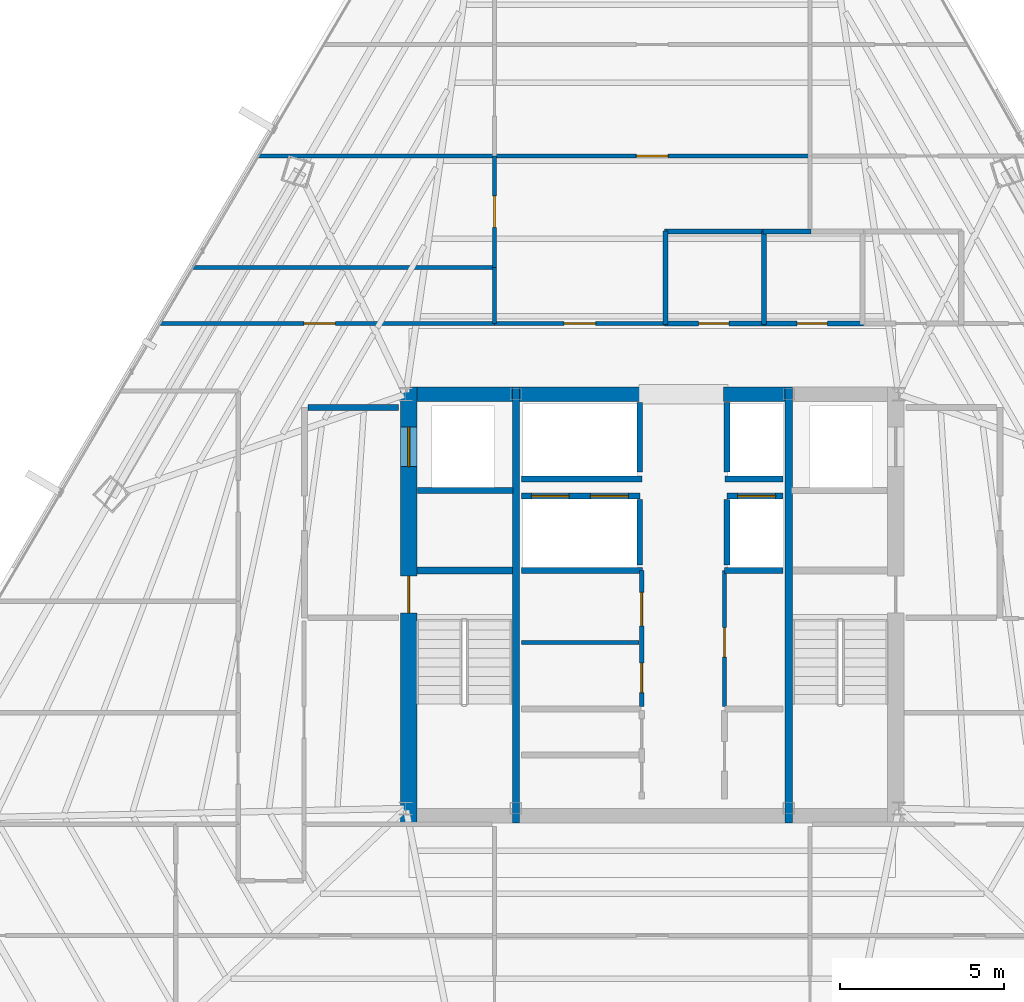
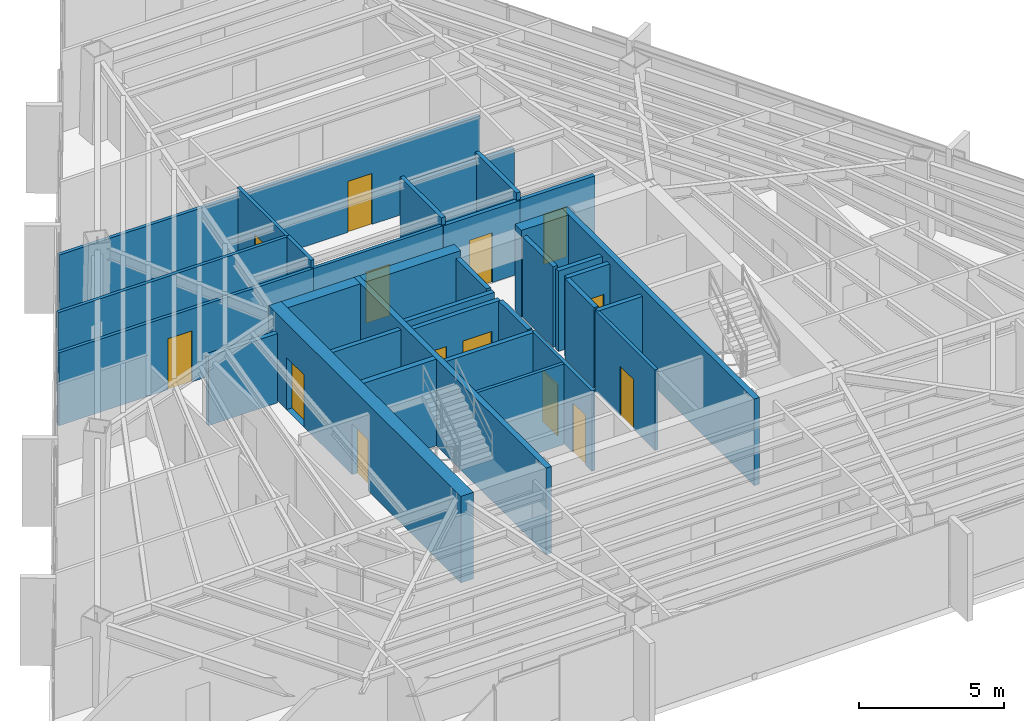
# One storey, part 36 of 42: 35 walls, 14 doors, 14 openings.
"""IFC4 building model written with IfcOpenShell, lengths in metres."""

from ifc_helpers import new_model, si_unit, direction, frame, frame_2d, origin, place, context, subcontext, project, spatial, rectangle, extrude, material, layer, layer_set, type_object, element, fill, save


model = new_model("IFC4")

# Units and contexts
model_context = context("Model", 3, precision=1e-05, world=origin(), true_north=direction((0.0, 1.0)))
body_context = subcontext(model_context, "Body", "Model", "MODEL_VIEW")
ifc_project = project(units=[si_unit("LENGTHUNIT", "METRE"), si_unit("AREAUNIT", "SQUARE_METRE"), si_unit("VOLUMEUNIT", "CUBIC_METRE"), si_unit("PLANEANGLEUNIT", "RADIAN"), si_unit("MASSUNIT", "GRAM", prefix="KILO")], contexts=[model_context])

# Site, building, storey
site_placement = place(None, origin())
site = spatial("IfcSite", under=ifc_project, at=site_placement, CompositionType="ELEMENT")
building_placement = place(site_placement, origin())
building = spatial("IfcBuilding", under=site, at=building_placement, Name="Caelisora Broadcast Tower", CompositionType="ELEMENT")
storey_placement = place(building_placement, frame((0.0, 0.0, 202.300048828125)))
storey = spatial("IfcBuildingStorey", under=building, at=storey_placement, Name="L53", CompositionType="ELEMENT", Elevation=202.300048828125)

# Wall, openings, doors
ifc_material_1 = material(Name="Concrete 50 MPa (AS 3600 S50)", Category="concrete")
ifc_layer_1 = layer(ifc_material_1, 0.5, Name="Concrete 50 MPa (AS 3600 S50)")
ifc_layer_set_1 = layer_set([ifc_layer_1], Name="Concrete 50 MPa (AS 3600 S50)")
wall_type_1 = type_object("IfcWallType", Name="CW2", PredefinedType="SHEAR", material=ifc_layer_set_1)
wall_1_placement = place(storey_placement, frame((30.590087890625, 16.949951171875, 0.0), z_axis=(0.0, 0.0, 1.0), x_axis=(0.0, 1.0, 0.0)))
wall_1 = element("IfcWall", 1, at=wall_1_placement, inside=storey, type_object=wall_type_1, Name="L53 core shear wall CW2", PredefinedType="SHEAR", context=body_context, shape_type="SweptSolid", body=[
    extrude(rectangle(XDim=13.275146484375, YDim=0.5, at=frame_2d((6.6376953125, 0.0))), origin(), (0.0, 0.0, 1.0), 3.64990234375),
])
opening_1_placement = place(wall_1_placement, frame((6.39990234375, 0.0, 0.0)))
opening_1 = element("IfcOpeningElement", 2, at=opening_1_placement, cuts=wall_1, Name="Opening FD04", PredefinedType="OPENING", context=body_context, shape_type="SweptSolid", body=[
    extrude(rectangle(XDim=1.1201171875, YDim=2.14990234375, at=frame_2d((0.56005859375, 1.074951171875))), frame((0.0, 0.261962890625, 0.0), z_axis=(0.0, -1.0, 0.0), x_axis=(1.0, 0.0, 0.0)), (0.0, 0.0, 1.0), 0.52392578125),
])
opening_2_placement = place(wall_1_placement, frame((10.85009765625, 0.0, 0.0)))
opening_2 = element("IfcOpeningElement", 3, at=opening_2_placement, cuts=wall_1, Name="Opening LD04", PredefinedType="OPENING", context=body_context, shape_type="SweptSolid", body=[
    extrude(rectangle(XDim=1.199951171875, YDim=2.199951171875, at=frame_2d((0.60009765625, 1.10009765625))), frame((0.0, 0.261962890625, 0.0), z_axis=(0.0, -1.0, 0.0), x_axis=(1.0, 0.0, 0.0)), (0.0, 0.0, 1.0), 0.52392578125),
])
ifc_material_2 = material(Name="Pressurised Fire-Isolated Stair Door", Category="steel")
door_type_1 = type_object("IfcDoorType", Name="FD04", OperationType="NOTDEFINED", PredefinedType="DOOR", material=ifc_material_2)
door_1_placement = place(opening_1_placement, origin())
door_1 = element("IfcDoor", 4, at=door_1_placement, inside=storey, type_object=door_type_1, Name="L53 door FD04 (L53-DR-ST1)", OperationType="SINGLE_SWING_LEFT", OverallHeight=2.14990234375, OverallWidth=1.1201171875, PredefinedType="DOOR", context=body_context, shape_type="SweptSolid", body=[
    extrude(rectangle(XDim=1.1201171875, YDim=2.14990234375, at=frame_2d((0.56005859375, 1.074951171875))), frame((0.0, 0.02490234375, 0.0), z_axis=(0.0, -1.0, 0.0), x_axis=(1.0, 0.0, 0.0)), (0.0, 0.0, 1.0), 0.050048828125),
])
fill(opening_1, door_1)
ifc_material_3 = material(Name="Emergency Firefighting Lift Sliding Landing Door", Category="steel")
door_type_2 = type_object("IfcDoorType", Name="LD04", OperationType="NOTDEFINED", PredefinedType="DOOR", material=ifc_material_3)
door_2_placement = place(opening_2_placement, origin())
door_2 = element("IfcDoor", 5, at=door_2_placement, inside=storey, type_object=door_type_2, Name="L53 door LD04 (L53-LD-FFL1)", OperationType="SLIDING_TO_LEFT", OverallHeight=2.199951171875, OverallWidth=1.199951171875, PredefinedType="DOOR", context=body_context, shape_type="SweptSolid", body=[
    extrude(rectangle(XDim=1.199951171875, YDim=2.199951171875, at=frame_2d((0.60009765625, 1.10009765625))), frame((0.0, 0.02490234375, 0.0), z_axis=(0.0, -1.0, 0.0), x_axis=(1.0, 0.0, 0.0)), (0.0, 0.0, 1.0), 0.050048828125),
])
fill(opening_2, door_2)

# Walls
ifc_layer_2 = layer(ifc_material_1, 0.449951171875, Name="Concrete 50 MPa (AS 3600 S50)")
ifc_layer_set_2 = layer_set([ifc_layer_2], Name="Concrete 50 MPa (AS 3600 S50)")
wall_type_2 = type_object("IfcWallType", Name="CW5", PredefinedType="SHEAR", material=ifc_layer_set_2)
wall_2_placement = place(storey_placement, frame((30.840087890625, 30.0, 0.0), z_axis=(0.0, 0.0, 1.0), x_axis=(1.0, 0.0, 0.0)))
element("IfcWall", 6, at=wall_2_placement, inside=storey, type_object=wall_type_2, Name="L53 core shear wall CW5", PredefinedType="SHEAR", context=body_context, shape_type="SweptSolid", body=[
    extrude(rectangle(XDim=2.89990234375, YDim=0.449951171875, at=frame_2d((1.449951171875, 0.0))), origin(), (0.0, 0.0, 1.0), 3.64990234375),
])
wall_3_placement = place(storey_placement, frame((33.9599609375, 30.0, 0.0), z_axis=(0.0, 0.0, 1.0), x_axis=(1.0, 0.0, 0.0)))
element("IfcWall", 7, at=wall_3_placement, inside=storey, type_object=wall_type_2, Name="L53 core shear wall CW5", PredefinedType="SHEAR", context=body_context, shape_type="SweptSolid", body=[
    extrude(rectangle(XDim=3.780029296875, YDim=0.449951171875, at=frame_2d((1.89013671875, 0.0))), origin(), (0.0, 0.0, 1.0), 3.64990234375),
])
wall_4_placement = place(storey_placement, frame((40.159912109375, 30.0, 0.0), z_axis=(0.0, 0.0, 1.0), x_axis=(1.0, 0.0, 0.0)))
element("IfcWall", 8, at=wall_4_placement, inside=storey, type_object=wall_type_2, Name="L53 core shear wall CW5", PredefinedType="SHEAR", context=body_context, shape_type="SweptSolid", body=[
    extrude(rectangle(XDim=1.880126953125, YDim=0.449951171875, at=frame_2d((0.93994140625, 0.0))), origin(), (0.0, 0.0, 1.0), 3.64990234375),
])
ifc_layer_3 = layer(ifc_material_1, 0.219970703125, Name="Concrete 50 MPa (AS 3600 S50)")
ifc_layer_set_3 = layer_set([ifc_layer_3], Name="Concrete 50 MPa (AS 3600 S50)")
wall_type_3 = type_object("IfcWallType", Name="CW7", PredefinedType="SHEAR", material=ifc_layer_set_3)
for number, where, z_axis, x_axis, name in (
    (9, (33.85009765625, 16.949951171875, 0.0), (0.0, 0.0, 1.0), (0.0, 1.0, 0.0), "L53 core shear wall CW7"),
    (10, (42.14990234375, 16.949951171875, 0.0), (0.0, 0.0, 1.0), (0.0, 1.0, 0.0), "L53 core shear wall CW7"),
):
    element("IfcWall", number, at=place(storey_placement, frame(where, z_axis=z_axis, x_axis=x_axis)), inside=storey, type_object=wall_type_3, Name=name, PredefinedType="SHEAR", context=body_context, shape_type="SweptSolid", body=[
        extrude(rectangle(XDim=13.275146484375, YDim=0.219970703125, at=frame_2d((6.6376953125, 0.0))), origin(), (0.0, 0.0, 1.0), 3.64990234375),
    ])
wall_5_placement = place(storey_placement, frame((30.840087890625, 24.639892578125, 0.0), z_axis=(0.0, 0.0, 1.0), x_axis=(1.0, 0.0, 0.0)))
element("IfcWall", 11, at=wall_5_placement, inside=storey, type_object=wall_type_3, Name="L53 core shear wall CW7", PredefinedType="SHEAR", context=body_context, shape_type="SweptSolid", body=[
    extrude(rectangle(XDim=2.89990234375, YDim=0.219970703125, at=frame_2d((1.449951171875, 0.0))), origin(), (0.0, 0.0, 1.0), 3.64990234375),
])

# Wall, openings, doors
ifc_material_4 = material(Name="Fire-Rated Gypsum Shaft and Compartment Wall", Category="gypsum")
ifc_layer_4 = layer(ifc_material_4, 0.179931640625, Name="Fire-Rated Gypsum Shaft and Compartment Wall")
ifc_layer_set_4 = layer_set([ifc_layer_4], Name="Fire-Rated Gypsum Shaft and Compartment Wall")
wall_type_4 = type_object("IfcWallType", Name="PW2", PredefinedType="PARTITIONING", material=ifc_layer_set_4)
wall_6_placement = place(storey_placement, frame((34.02001953125, 26.89990234375, 0.0), z_axis=(0.0, 0.0, 1.0), x_axis=(1.0, 0.0, 0.0)))
wall_6 = element("IfcWall", 12, at=wall_6_placement, inside=storey, type_object=wall_type_4, Name="L53 fire compartment wall PW2", PredefinedType="PARTITIONING", context=body_context, shape_type="SweptSolid", body=[
    extrude(rectangle(XDim=3.60009765625, YDim=0.179931640625, at=frame_2d((1.800048828125, 0.0))), origin(), (0.0, 0.0, 1.0), 3.39990234375),
])
opening_3_placement = place(wall_6_placement, frame((0.300048828125, 0.0, 0.0)))
opening_3 = element("IfcOpeningElement", 13, at=opening_3_placement, cuts=wall_6, Name="Opening LD02", PredefinedType="OPENING", context=body_context, shape_type="SweptSolid", body=[
    extrude(rectangle(XDim=1.14990234375, YDim=2.199951171875, at=frame_2d((0.574951171875, 1.10009765625))), frame((0.0, 0.10205078125, 0.0), z_axis=(0.0, -1.0, 0.0), x_axis=(1.0, 0.0, 0.0)), (0.0, 0.0, 1.0), 0.203857421875),
])
opening_4_placement = place(wall_6_placement, frame((2.10009765625, 0.0, 0.0)))
opening_4 = element("IfcOpeningElement", 14, at=opening_4_placement, cuts=wall_6, Name="Opening LD02", PredefinedType="OPENING", context=body_context, shape_type="SweptSolid", body=[
    extrude(rectangle(XDim=1.14990234375, YDim=2.199951171875, at=frame_2d((0.574951171875, 1.10009765625))), frame((0.0, 0.10205078125, 0.0), z_axis=(0.0, -1.0, 0.0), x_axis=(1.0, 0.0, 0.0)), (0.0, 0.0, 1.0), 0.203857421875),
])
ifc_material_5 = material(Name="High-Speed Express Lift Sliding Landing Door", Category="steel")
door_type_3 = type_object("IfcDoorType", Name="LD02", OperationType="NOTDEFINED", PredefinedType="DOOR", material=ifc_material_5)
door_3_placement = place(opening_3_placement, origin())
door_3 = element("IfcDoor", 15, at=door_3_placement, inside=storey, type_object=door_type_3, Name="L53 door LD02 (L53-LD-PLM1)", OperationType="SLIDING_TO_LEFT", OverallHeight=2.199951171875, OverallWidth=1.14990234375, PredefinedType="DOOR", context=body_context, shape_type="SweptSolid", body=[
    extrude(rectangle(XDim=1.14990234375, YDim=2.199951171875, at=frame_2d((0.574951171875, 1.10009765625))), frame((0.0, 0.02490234375, 0.0), z_axis=(0.0, -1.0, 0.0), x_axis=(1.0, 0.0, 0.0)), (0.0, 0.0, 1.0), 0.050048828125),
])
fill(opening_3, door_3)
door_4_placement = place(opening_4_placement, origin())
door_4 = element("IfcDoor", 16, at=door_4_placement, inside=storey, type_object=door_type_3, Name="L53 door LD02 (L53-LD-PLM2)", OperationType="SLIDING_TO_RIGHT", OverallHeight=2.199951171875, OverallWidth=1.14990234375, PredefinedType="DOOR", context=body_context, shape_type="SweptSolid", body=[
    extrude(rectangle(XDim=1.14990234375, YDim=2.199951171875, at=frame_2d((0.574951171875, 1.10009765625))), frame((0.0, 0.02490234375, 0.0), z_axis=(0.0, -1.0, 0.0), x_axis=(1.0, 0.0, 0.0)), (0.0, 0.0, 1.0), 0.050048828125),
])
fill(opening_4, door_4)

# Wall, opening, door
wall_7_placement = place(storey_placement, frame((40.280029296875, 26.89990234375, 0.0), z_axis=(0.0, 0.0, 1.0), x_axis=(1.0, 0.0, 0.0)))
wall_7 = element("IfcWall", 17, at=wall_7_placement, inside=storey, type_object=wall_type_4, Name="L53 fire compartment wall PW2", PredefinedType="PARTITIONING", context=body_context, shape_type="SweptSolid", body=[
    extrude(rectangle(XDim=1.699951171875, YDim=0.179931640625, at=frame_2d((0.85009765625, 0.0))), origin(), (0.0, 0.0, 1.0), 3.39990234375),
])
opening_5_placement = place(wall_7_placement, frame((0.320068359375, 0.0, 0.0)))
opening_5 = element("IfcOpeningElement", 18, at=opening_5_placement, cuts=wall_7, Name="Opening LD02", PredefinedType="OPENING", context=body_context, shape_type="SweptSolid", body=[
    extrude(rectangle(XDim=1.14990234375, YDim=2.199951171875, at=frame_2d((0.574951171875, 1.10009765625))), frame((0.0, 0.10205078125, 0.0), z_axis=(0.0, -1.0, 0.0), x_axis=(1.0, 0.0, 0.0)), (0.0, 0.0, 1.0), 0.203857421875),
])
door_5_placement = place(opening_5_placement, origin())
door_5 = element("IfcDoor", 19, at=door_5_placement, inside=storey, type_object=door_type_3, Name="L53 door LD02 (L53-LD-PLM3)", OperationType="SLIDING_TO_LEFT", OverallHeight=2.199951171875, OverallWidth=1.14990234375, PredefinedType="DOOR", context=body_context, shape_type="SweptSolid", body=[
    extrude(rectangle(XDim=1.14990234375, YDim=2.199951171875, at=frame_2d((0.574951171875, 1.10009765625))), frame((0.0, 0.02490234375, 0.0), z_axis=(0.0, -1.0, 0.0), x_axis=(1.0, 0.0, 0.0)), (0.0, 0.0, 1.0), 0.050048828125),
])
fill(opening_5, door_5)

# Walls
for number, where, z_axis, x_axis, name in (
    (20, (37.6201171875, 24.800048828125, 0.0), (0.0, 0.0, 1.0), (0.0, 1.0, 0.0), "L53 fire compartment wall PW2"),
    (21, (40.280029296875, 24.800048828125, 0.0), (0.0, 0.0, 1.0), (0.0, 1.0, 0.0), "L53 fire compartment wall PW2"),
):
    element("IfcWall", number, at=place(storey_placement, frame(where, z_axis=z_axis, x_axis=x_axis)), inside=storey, type_object=wall_type_4, Name=name, PredefinedType="PARTITIONING", context=body_context, shape_type="SweptSolid", body=[
        extrude(rectangle(XDim=2.0, YDim=0.179931640625, at=frame_2d((1.0, 0.0))), origin(), (0.0, 0.0, 1.0), 3.39990234375),
    ])
wall_8_placement = place(storey_placement, frame((34.02001953125, 24.639892578125, 0.0), z_axis=(0.0, 0.0, 1.0), x_axis=(1.0, 0.0, 0.0)))
element("IfcWall", 22, at=wall_8_placement, inside=storey, type_object=wall_type_4, Name="L53 fire compartment wall PW2", PredefinedType="PARTITIONING", context=body_context, shape_type="SweptSolid", body=[
    extrude(rectangle(XDim=3.679931640625, YDim=0.179931640625, at=frame_2d((1.83984375, 0.0))), origin(), (0.0, 0.0, 1.0), 3.39990234375),
])
wall_9_placement = place(storey_placement, frame((40.199951171875, 24.639892578125, 0.0), z_axis=(0.0, 0.0, 1.0), x_axis=(1.0, 0.0, 0.0)))
element("IfcWall", 23, at=wall_9_placement, inside=storey, type_object=wall_type_4, Name="L53 fire compartment wall PW2", PredefinedType="PARTITIONING", context=body_context, shape_type="SweptSolid", body=[
    extrude(rectangle(XDim=1.780029296875, YDim=0.179931640625, at=frame_2d((0.89013671875, 0.0))), origin(), (0.0, 0.0, 1.0), 3.39990234375),
])
wall_10_placement = place(storey_placement, frame((34.02001953125, 27.419921875, 0.0), z_axis=(0.0, 0.0, 1.0), x_axis=(1.0, 0.0, 0.0)))
element("IfcWall", 24, at=wall_10_placement, inside=storey, type_object=wall_type_4, Name="L53 fire compartment wall PW2", PredefinedType="PARTITIONING", context=body_context, shape_type="SweptSolid", body=[
    extrude(rectangle(XDim=3.659912109375, YDim=0.179931640625, at=frame_2d((1.830078125, 0.0))), origin(), (0.0, 0.0, 1.0), 3.39990234375),
])
wall_11_placement = place(storey_placement, frame((40.219970703125, 27.419921875, 0.0), z_axis=(0.0, 0.0, 1.0), x_axis=(1.0, 0.0, 0.0)))
element("IfcWall", 25, at=wall_11_placement, inside=storey, type_object=wall_type_4, Name="L53 fire compartment wall PW2", PredefinedType="PARTITIONING", context=body_context, shape_type="SweptSolid", body=[
    extrude(rectangle(XDim=1.760009765625, YDim=0.179931640625, at=frame_2d((0.8798828125, 0.0))), origin(), (0.0, 0.0, 1.0), 3.39990234375),
])
for number, where, z_axis, x_axis, name in (
    (26, (37.6201171875, 27.639892578125, 0.0), (0.0, 0.0, 1.0), (0.0, 1.0, 0.0), "L53 fire compartment wall PW2"),
    (27, (40.280029296875, 27.639892578125, 0.0), (0.0, 0.0, 1.0), (0.0, 1.0, 0.0), "L53 fire compartment wall PW2"),
):
    element("IfcWall", number, at=place(storey_placement, frame(where, z_axis=z_axis, x_axis=x_axis)), inside=storey, type_object=wall_type_4, Name=name, PredefinedType="PARTITIONING", context=body_context, shape_type="SweptSolid", body=[
        extrude(rectangle(XDim=2.110107421875, YDim=0.179931640625, at=frame_2d((1.05517578125, 0.0))), origin(), (0.0, 0.0, 1.0), 3.39990234375),
    ])
wall_12_placement = place(storey_placement, frame((27.52001953125, 29.60009765625, 0.0), z_axis=(0.0, 0.0, 1.0), x_axis=(1.0, 0.0, 0.0)))
element("IfcWall", 28, at=wall_12_placement, inside=storey, type_object=wall_type_4, Name="L53 fire compartment wall PW2", PredefinedType="PARTITIONING", context=body_context, shape_type="SweptSolid", body=[
    extrude(rectangle(XDim=2.760009765625, YDim=0.179931640625, at=frame_2d((1.3798828125, 0.0))), origin(), (0.0, 0.0, 1.0), 2.924560546875),
])
wall_13_placement = place(storey_placement, frame((30.860107421875, 27.070068359375, 0.0), z_axis=(0.0, 0.0, 1.0), x_axis=(1.0, 0.0, 0.0)))
element("IfcWall", 29, at=wall_13_placement, inside=storey, type_object=wall_type_4, Name="L53 fire compartment wall PW2", PredefinedType="PARTITIONING", context=body_context, shape_type="SweptSolid", body=[
    extrude(rectangle(XDim=2.89990234375, YDim=0.179931640625, at=frame_2d((1.449951171875, 0.0))), origin(), (0.0, 0.0, 1.0), 3.39990234375),
])
ifc_material_6 = material(Name="Acoustic Steel-Stud Plasterboard Partition", Category="gypsum")
ifc_layer_5 = layer(ifc_material_6, 0.1298828125, Name="Acoustic Steel-Stud Plasterboard Partition")
ifc_layer_set_5 = layer_set([ifc_layer_5], Name="Acoustic Steel-Stud Plasterboard Partition")
wall_type_5 = type_object("IfcWallType", Name="PW3", PredefinedType="PARTITIONING", material=ifc_layer_set_5)
wall_14_placement = place(storey_placement, frame((34.02001953125, 22.449951171875, 0.0), z_axis=(0.0, 0.0, 1.0), x_axis=(1.0, 0.0, 0.0)))
element("IfcWall", 30, at=wall_14_placement, inside=storey, type_object=wall_type_5, Name="L53 internal partition PW3", PredefinedType="PARTITIONING", context=body_context, shape_type="SweptSolid", body=[
    extrude(rectangle(XDim=3.580078125, YDim=0.1298828125, at=frame_2d((1.7900390625, 0.0))), origin(), (0.0, 0.0, 1.0), 3.39990234375),
])

# Wall, openings, doors
wall_15_placement = place(storey_placement, frame((37.679931640625, 20.5, 0.0), z_axis=(0.0, 0.0, 1.0), x_axis=(0.0, 1.0, 0.0)))
wall_15 = element("IfcWall", 31, at=wall_15_placement, inside=storey, type_object=wall_type_5, Name="L53 internal partition PW3", PredefinedType="PARTITIONING", context=body_context, shape_type="SweptSolid", body=[
    extrude(rectangle(XDim=4.139892578125, YDim=0.1298828125, at=frame_2d((2.06982421875, 0.0))), origin(), (0.0, 0.0, 1.0), 3.39990234375),
])
opening_6_placement = place(wall_15_placement, frame((0.419921875, 0.0, 0.0)))
opening_6 = element("IfcOpeningElement", 32, at=opening_6_placement, cuts=wall_15, Name="Opening FD03", PredefinedType="OPENING", context=body_context, shape_type="SweptSolid", body=[
    extrude(rectangle(XDim=0.89990234375, YDim=2.10009765625, at=frame_2d((0.449951171875, 1.050048828125))), frame((0.0, 0.076904296875, 0.0), z_axis=(0.0, -1.0, 0.0), x_axis=(1.0, 0.0, 0.0)), (0.0, 0.0, 1.0), 0.15380859375),
])
opening_7_placement = place(wall_15_placement, frame((2.449951171875, 0.0, 0.0)))
opening_7 = element("IfcOpeningElement", 33, at=opening_7_placement, cuts=wall_15, Name="Opening D02", PredefinedType="OPENING", context=body_context, shape_type="SweptSolid", body=[
    extrude(rectangle(XDim=1.02001953125, YDim=2.14990234375, at=frame_2d((0.510009765625, 1.074951171875))), frame((0.0, 0.076904296875, 0.0), z_axis=(0.0, -1.0, 0.0), x_axis=(1.0, 0.0, 0.0)), (0.0, 0.0, 1.0), 0.15380859375),
])
ifc_material_7 = material(Name="Solid-Core Timber Archive Suite Door", Category="wood")
door_type_4 = type_object("IfcDoorType", Name="D02", OperationType="NOTDEFINED", PredefinedType="DOOR", material=ifc_material_7)
door_6_placement = place(opening_7_placement, origin())
door_6 = element("IfcDoor", 34, at=door_6_placement, inside=storey, type_object=door_type_4, Name="L53 door D02 (L53-DR-P12D2)", OperationType="SINGLE_SWING_LEFT", OverallHeight=2.14990234375, OverallWidth=1.02001953125, PredefinedType="DOOR", context=body_context, shape_type="SweptSolid", body=[
    extrude(rectangle(XDim=1.02001953125, YDim=2.14990234375, at=frame_2d((0.510009765625, 1.074951171875))), frame((0.0, 0.02490234375, 0.0), z_axis=(0.0, -1.0, 0.0), x_axis=(1.0, 0.0, 0.0)), (0.0, 0.0, 1.0), 0.050048828125),
])
fill(opening_7, door_6)
ifc_material_8 = material(Name="Single-Leaf Steel Riser Fire Access Door", Category="steel")
door_type_5 = type_object("IfcDoorType", Name="FD03", OperationType="NOTDEFINED", PredefinedType="DOOR", material=ifc_material_8)
door_7_placement = place(opening_6_placement, origin())
door_7 = element("IfcDoor", 35, at=door_7_placement, inside=storey, type_object=door_type_5, Name="L53 door FD03 (L53-DR-P12D1)", OperationType="SINGLE_SWING_RIGHT", OverallHeight=2.10009765625, OverallWidth=0.89990234375, PredefinedType="DOOR", context=body_context, shape_type="SweptSolid", body=[
    extrude(rectangle(XDim=0.89990234375, YDim=2.10009765625, at=frame_2d((0.449951171875, 1.050048828125))), frame((0.0, 0.02490234375, 0.0), z_axis=(0.0, -1.0, 0.0), x_axis=(1.0, 0.0, 0.0)), (0.0, 0.0, 1.0), 0.050048828125),
])
fill(opening_6, door_7)

# Wall, opening, door
wall_16_placement = place(storey_placement, frame((40.199951171875, 20.5, 0.0), z_axis=(0.0, 0.0, 1.0), x_axis=(0.0, 1.0, 0.0)))
wall_16 = element("IfcWall", 36, at=wall_16_placement, inside=storey, type_object=wall_type_5, Name="L53 internal partition PW3", PredefinedType="PARTITIONING", context=body_context, shape_type="SweptSolid", body=[
    extrude(rectangle(XDim=4.139892578125, YDim=0.1298828125, at=frame_2d((2.06982421875, 0.0))), origin(), (0.0, 0.0, 1.0), 3.39990234375),
])
opening_8_placement = place(wall_16_placement, frame((1.5, 0.0, 0.0)))
opening_8 = element("IfcOpeningElement", 37, at=opening_8_placement, cuts=wall_16, Name="Opening FD03", PredefinedType="OPENING", context=body_context, shape_type="SweptSolid", body=[
    extrude(rectangle(XDim=0.89990234375, YDim=2.10009765625, at=frame_2d((0.449951171875, 1.050048828125))), frame((0.0, 0.076904296875, 0.0), z_axis=(0.0, -1.0, 0.0), x_axis=(1.0, 0.0, 0.0)), (0.0, 0.0, 1.0), 0.15380859375),
])
door_8_placement = place(opening_8_placement, origin())
door_8 = element("IfcDoor", 38, at=door_8_placement, inside=storey, type_object=door_type_5, Name="L53 door FD03 (L53-DR-P13D1)", OperationType="SINGLE_SWING_RIGHT", OverallHeight=2.10009765625, OverallWidth=0.89990234375, PredefinedType="DOOR", context=body_context, shape_type="SweptSolid", body=[
    extrude(rectangle(XDim=0.89990234375, YDim=2.10009765625, at=frame_2d((0.449951171875, 1.050048828125))), frame((0.0, 0.02490234375, 0.0), z_axis=(0.0, -1.0, 0.0), x_axis=(1.0, 0.0, 0.0)), (0.0, 0.0, 1.0), 0.050048828125),
])
fill(opening_8, door_8)

wall_17_placement = place(storey_placement, frame((23.039306640625, 32.14990234375, 0.0), z_axis=(0.0, 0.0, 1.0), x_axis=(1.0, 0.0, 0.0)))
wall_17 = element("IfcWall", 39, at=wall_17_placement, inside=storey, type_object=wall_type_5, Name="L53 internal partition PW3", PredefinedType="PARTITIONING", context=body_context, shape_type="SweptSolid", body=[
    extrude(rectangle(XDim=10.15576171875, YDim=0.1298828125, at=frame_2d((5.077880859375, 0.0))), origin(), (0.0, 0.0, 1.0), 3.07763671875),
])
opening_9_placement = place(wall_17_placement, frame((4.35693359375, 0.0, 0.0)))
opening_9 = element("IfcOpeningElement", 40, at=opening_9_placement, cuts=wall_17, Name="Opening D01", PredefinedType="OPENING", context=body_context, shape_type="SweptSolid", body=[
    extrude(rectangle(XDim=0.9599609375, YDim=2.14990234375, at=frame_2d((0.47998046875, 1.074951171875))), frame((0.0, 0.076904296875, 0.0), z_axis=(0.0, -1.0, 0.0), x_axis=(1.0, 0.0, 0.0)), (0.0, 0.0, 1.0), 0.15380859375),
])
ifc_material_9 = material(Name="Solid-Core Timber Acoustic Office Door", Category="wood")
door_type_6 = type_object("IfcDoorType", Name="D01", OperationType="NOTDEFINED", PredefinedType="DOOR", material=ifc_material_9)
door_9_placement = place(opening_9_placement, origin())
door_9 = element("IfcDoor", 41, at=door_9_placement, inside=storey, type_object=door_type_6, Name="L53 door D01 (L53-DR-P31D1)", OperationType="SINGLE_SWING_LEFT", OverallHeight=2.14990234375, OverallWidth=0.9599609375, PredefinedType="DOOR", context=body_context, shape_type="SweptSolid", body=[
    extrude(rectangle(XDim=0.9599609375, YDim=2.14990234375, at=frame_2d((0.47998046875, 1.074951171875))), frame((0.0, 0.02490234375, 0.0), z_axis=(0.0, -1.0, 0.0), x_axis=(1.0, 0.0, 0.0)), (0.0, 0.0, 1.0), 0.050048828125),
])
fill(opening_9, door_9)

wall_18_placement = place(storey_placement, frame((33.205078125, 37.25, 0.0), z_axis=(0.0, 0.0, 1.0), x_axis=(1.0, 0.0, 0.0)))
wall_18 = element("IfcWall", 42, at=wall_18_placement, inside=storey, type_object=wall_type_5, Name="L53 internal partition PW3", PredefinedType="PARTITIONING", context=body_context, shape_type="SweptSolid", body=[
    extrude(rectangle(XDim=9.58984375, YDim=0.1298828125, at=frame_2d((4.794921875, 0.0))), origin(), (0.0, 0.0, 1.0), 3.07763671875),
])
opening_10_placement = place(wall_18_placement, frame((4.31494140625, 0.0, 0.0)))
opening_10 = element("IfcOpeningElement", 43, at=opening_10_placement, cuts=wall_18, Name="Opening D01", PredefinedType="OPENING", context=body_context, shape_type="SweptSolid", body=[
    extrude(rectangle(XDim=0.9599609375, YDim=2.14990234375, at=frame_2d((0.47998046875, 1.074951171875))), frame((0.0, 0.076904296875, 0.0), z_axis=(0.0, -1.0, 0.0), x_axis=(1.0, 0.0, 0.0)), (0.0, 0.0, 1.0), 0.15380859375),
])
door_10_placement = place(opening_10_placement, origin())
door_10 = element("IfcDoor", 44, at=door_10_placement, inside=storey, type_object=door_type_6, Name="L53 door D01 (L53-DR-P40D1)", OperationType="SINGLE_SWING_RIGHT", OverallHeight=2.14990234375, OverallWidth=0.9599609375, PredefinedType="DOOR", context=body_context, shape_type="SweptSolid", body=[
    extrude(rectangle(XDim=0.9599609375, YDim=2.14990234375, at=frame_2d((0.47998046875, 1.074951171875))), frame((0.0, 0.02490234375, 0.0), z_axis=(0.0, -1.0, 0.0), x_axis=(1.0, 0.0, 0.0)), (0.0, 0.0, 1.0), 0.050048828125),
])
fill(opening_10, door_10)

# Walls
wall_19_placement = place(storey_placement, frame((24.017578125, 33.860107421875, 0.0), z_axis=(0.0, 0.0, 1.0), x_axis=(1.0, 0.0, 0.0)))
element("IfcWall", 45, at=wall_19_placement, inside=storey, type_object=wall_type_5, Name="L53 internal partition PW3", PredefinedType="PARTITIONING", context=body_context, shape_type="SweptSolid", body=[
    extrude(rectangle(XDim=9.177490234375, YDim=0.1298828125, at=frame_2d((4.5888671875, 0.0))), origin(), (0.0, 0.0, 1.0), 3.39990234375),
])
wall_20_placement = place(storey_placement, frame((26.0087890625, 37.25, 0.0), z_axis=(0.0, 0.0, 1.0), x_axis=(1.0, 0.0, 0.0)))
element("IfcWall", 46, at=wall_20_placement, inside=storey, type_object=wall_type_5, Name="L53 internal partition PW3", PredefinedType="PARTITIONING", context=body_context, shape_type="SweptSolid", body=[
    extrude(rectangle(XDim=7.186279296875, YDim=0.1298828125, at=frame_2d((3.59326171875, 0.0))), origin(), (0.0, 0.0, 1.0), 3.07763671875),
])

# Wall, opening, door
wall_21_placement = place(storey_placement, frame((33.205078125, 32.14990234375, 0.0), z_axis=(0.0, 0.0, 1.0), x_axis=(1.0, 0.0, 0.0)))
wall_21 = element("IfcWall", 47, at=wall_21_placement, inside=storey, type_object=wall_type_5, Name="L53 internal partition PW3", PredefinedType="PARTITIONING", context=body_context, shape_type="SweptSolid", body=[
    extrude(rectangle(XDim=5.18994140625, YDim=0.1298828125, at=frame_2d((2.594970703125, 0.0))), origin(), (0.0, 0.0, 1.0), 3.07763671875),
])
opening_11_placement = place(wall_21_placement, frame((2.114990234375, 0.0, 0.0)))
opening_11 = element("IfcOpeningElement", 48, at=opening_11_placement, cuts=wall_21, Name="Opening D01", PredefinedType="OPENING", context=body_context, shape_type="SweptSolid", body=[
    extrude(rectangle(XDim=0.9599609375, YDim=2.14990234375, at=frame_2d((0.47998046875, 1.074951171875))), frame((0.0, 0.076904296875, 0.0), z_axis=(0.0, -1.0, 0.0), x_axis=(1.0, 0.0, 0.0)), (0.0, 0.0, 1.0), 0.15380859375),
])
door_11_placement = place(opening_11_placement, origin())
door_11 = element("IfcDoor", 49, at=door_11_placement, inside=storey, type_object=door_type_6, Name="L53 door D01 (L53-DR-P60D1)", OperationType="SINGLE_SWING_RIGHT", OverallHeight=2.14990234375, OverallWidth=0.9599609375, PredefinedType="DOOR", context=body_context, shape_type="SweptSolid", body=[
    extrude(rectangle(XDim=0.9599609375, YDim=2.14990234375, at=frame_2d((0.47998046875, 1.074951171875))), frame((0.0, 0.02490234375, 0.0), z_axis=(0.0, -1.0, 0.0), x_axis=(1.0, 0.0, 0.0)), (0.0, 0.0, 1.0), 0.050048828125),
])
fill(opening_11, door_11)

wall_22_placement = place(storey_placement, frame((33.199951171875, 33.864990234375, 0.0), z_axis=(0.0, 0.0, 1.0), x_axis=(0.0, 1.0, 0.0)))
wall_22 = element("IfcWall", 50, at=wall_22_placement, inside=storey, type_object=wall_type_5, Name="L53 internal partition PW3", PredefinedType="PARTITIONING", context=body_context, shape_type="SweptSolid", body=[
    extrude(rectangle(XDim=3.380126953125, YDim=0.1298828125, at=frame_2d((1.68994140625, 0.0))), origin(), (0.0, 0.0, 1.0), 3.39990234375),
])
opening_12_placement = place(wall_22_placement, frame((1.2099609375, 0.0, 0.0)))
opening_12 = element("IfcOpeningElement", 51, at=opening_12_placement, cuts=wall_22, Name="Opening D01", PredefinedType="OPENING", context=body_context, shape_type="SweptSolid", body=[
    extrude(rectangle(XDim=0.9599609375, YDim=2.14990234375, at=frame_2d((0.47998046875, 1.074951171875))), frame((0.0, 0.076904296875, 0.0), z_axis=(0.0, -1.0, 0.0), x_axis=(1.0, 0.0, 0.0)), (0.0, 0.0, 1.0), 0.15380859375),
])
door_12_placement = place(opening_12_placement, origin())
door_12 = element("IfcDoor", 52, at=door_12_placement, inside=storey, type_object=door_type_6, Name="L53 door D01 (L53-DR-P74D1)", OperationType="SINGLE_SWING_RIGHT", OverallHeight=2.14990234375, OverallWidth=0.9599609375, PredefinedType="DOOR", context=body_context, shape_type="SweptSolid", body=[
    extrude(rectangle(XDim=0.9599609375, YDim=2.14990234375, at=frame_2d((0.47998046875, 1.074951171875))), frame((0.0, 0.02490234375, 0.0), z_axis=(0.0, -1.0, 0.0), x_axis=(1.0, 0.0, 0.0)), (0.0, 0.0, 1.0), 0.050048828125),
])
fill(opening_12, door_12)

# Wall
wall_23_placement = place(storey_placement, frame((33.199951171875, 32.155029296875, 0.0), z_axis=(0.0, 0.0, 1.0), x_axis=(0.0, 1.0, 0.0)))
element("IfcWall", 53, at=wall_23_placement, inside=storey, type_object=wall_type_5, Name="L53 internal partition PW3", PredefinedType="PARTITIONING", context=body_context, shape_type="SweptSolid", body=[
    extrude(rectangle(XDim=1.699951171875, YDim=0.1298828125, at=frame_2d((0.85009765625, 0.0))), origin(), (0.0, 0.0, 1.0), 3.39990234375),
])

# Wall, opening, door
ifc_material_10 = material(Name="Moisture-Resistant Wet Plumbing Service Wall", Category="gypsum")
ifc_layer_6 = layer(ifc_material_10, 0.159912109375, Name="Moisture-Resistant Wet Plumbing Service Wall")
ifc_layer_set_6 = layer_set([ifc_layer_6], Name="Moisture-Resistant Wet Plumbing Service Wall")
wall_type_6 = type_object("IfcWallType", Name="PW4", PredefinedType="PLUMBINGWALL", material=ifc_layer_set_6)
wall_24_placement = place(storey_placement, frame((38.375, 32.14990234375, 0.0), z_axis=(0.0, 0.0, 1.0), x_axis=(1.0, 0.0, 0.0)))
wall_24 = element("IfcWall", 54, at=wall_24_placement, inside=storey, type_object=wall_type_6, Name="L53 wet plumbing wall PW4", PredefinedType="PLUMBINGWALL", context=body_context, shape_type="SweptSolid", body=[
    extrude(rectangle(XDim=3.050048828125, YDim=0.159912109375, at=frame_2d((1.52490234375, 0.0))), origin(), (0.0, 0.0, 1.0), 3.07763671875),
])
opening_13_placement = place(wall_24_placement, frame((1.034912109375, 0.0, 0.0)))
opening_13 = element("IfcOpeningElement", 55, at=opening_13_placement, cuts=wall_24, Name="Opening D03", PredefinedType="OPENING", context=body_context, shape_type="SweptSolid", body=[
    extrude(rectangle(XDim=0.919921875, YDim=2.10009765625, at=frame_2d((0.4599609375, 1.050048828125))), frame((0.0, 0.092041015625, 0.0), z_axis=(0.0, -1.0, 0.0), x_axis=(1.0, 0.0, 0.0)), (0.0, 0.0, 1.0), 0.183837890625),
])
ifc_material_11 = material(Name="Laminate Moisture-Resistant Amenity WC Door", Category="wood")
door_type_7 = type_object("IfcDoorType", Name="D03", OperationType="NOTDEFINED", PredefinedType="DOOR", material=ifc_material_11)
door_13_placement = place(opening_13_placement, origin())
door_13 = element("IfcDoor", 56, at=door_13_placement, inside=storey, type_object=door_type_7, Name="L53 door D03 (L53-DR-P17D1)", OperationType="SINGLE_SWING_RIGHT", OverallHeight=2.10009765625, OverallWidth=0.919921875, PredefinedType="DOOR", context=body_context, shape_type="SweptSolid", body=[
    extrude(rectangle(XDim=0.919921875, YDim=2.10009765625, at=frame_2d((0.4599609375, 1.050048828125))), frame((0.0, 0.02490234375, 0.0), z_axis=(0.0, -1.0, 0.0), x_axis=(1.0, 0.0, 0.0)), (0.0, 0.0, 1.0), 0.050048828125),
])
fill(opening_13, door_13)

wall_25_placement = place(storey_placement, frame((41.375, 32.14990234375, 0.0), z_axis=(0.0, 0.0, 1.0), x_axis=(1.0, 0.0, 0.0)))
wall_25 = element("IfcWall", 57, at=wall_25_placement, inside=storey, type_object=wall_type_6, Name="L53 wet plumbing wall PW4", PredefinedType="PLUMBINGWALL", context=body_context, shape_type="SweptSolid", body=[
    extrude(rectangle(XDim=3.050048828125, YDim=0.159912109375, at=frame_2d((1.52490234375, 0.0))), origin(), (0.0, 0.0, 1.0), 3.07763671875),
])
opening_14_placement = place(wall_25_placement, frame((1.034912109375, 0.0, 0.0)))
opening_14 = element("IfcOpeningElement", 58, at=opening_14_placement, cuts=wall_25, Name="Opening D03", PredefinedType="OPENING", context=body_context, shape_type="SweptSolid", body=[
    extrude(rectangle(XDim=0.919921875, YDim=2.10009765625, at=frame_2d((0.4599609375, 1.050048828125))), frame((0.0, 0.092041015625, 0.0), z_axis=(0.0, -1.0, 0.0), x_axis=(1.0, 0.0, 0.0)), (0.0, 0.0, 1.0), 0.183837890625),
])
door_14_placement = place(opening_14_placement, origin())
door_14 = element("IfcDoor", 59, at=door_14_placement, inside=storey, type_object=door_type_7, Name="L53 door D03 (L53-DR-P18D1)", OperationType="SINGLE_SWING_LEFT", OverallHeight=2.10009765625, OverallWidth=0.919921875, PredefinedType="DOOR", context=body_context, shape_type="SweptSolid", body=[
    extrude(rectangle(XDim=0.919921875, YDim=2.10009765625, at=frame_2d((0.4599609375, 1.050048828125))), frame((0.0, 0.02490234375, 0.0), z_axis=(0.0, -1.0, 0.0), x_axis=(1.0, 0.0, 0.0)), (0.0, 0.0, 1.0), 0.050048828125),
])
fill(opening_14, door_14)

# Walls
wall_26_placement = place(storey_placement, frame((38.375, 34.949951171875, 0.0), z_axis=(0.0, 0.0, 1.0), x_axis=(1.0, 0.0, 0.0)))
element("IfcWall", 60, at=wall_26_placement, inside=storey, type_object=wall_type_6, Name="L53 wet plumbing wall PW4", PredefinedType="PLUMBINGWALL", context=body_context, shape_type="SweptSolid", body=[
    extrude(rectangle(XDim=3.050048828125, YDim=0.159912109375, at=frame_2d((1.52490234375, 0.0))), origin(), (0.0, 0.0, 1.0), 3.07763671875),
])
for number, where, z_axis, x_axis, name in (
    (61, (41.39990234375, 32.125, 0.0), (0.0, 0.0, 1.0), (0.0, 1.0, 0.0), "L53 wet plumbing wall PW4"),
    (62, (38.39990234375, 32.125, 0.0), (0.0, 0.0, 1.0), (0.0, 1.0, 0.0), "L53 wet plumbing wall PW4"),
):
    element("IfcWall", number, at=place(storey_placement, frame(where, z_axis=z_axis, x_axis=x_axis)), inside=storey, type_object=wall_type_6, Name=name, PredefinedType="PLUMBINGWALL", context=body_context, shape_type="SweptSolid", body=[
        extrude(rectangle(XDim=2.85009765625, YDim=0.159912109375, at=frame_2d((1.425048828125, 0.0))), origin(), (0.0, 0.0, 1.0), 3.39990234375),
    ])
wall_27_placement = place(storey_placement, frame((41.375, 34.949951171875, 0.0), z_axis=(0.0, 0.0, 1.0), x_axis=(1.0, 0.0, 0.0)))
element("IfcWall", 63, at=wall_27_placement, inside=storey, type_object=wall_type_6, Name="L53 wet plumbing wall PW4", PredefinedType="PLUMBINGWALL", context=body_context, shape_type="SweptSolid", body=[
    extrude(rectangle(XDim=1.449951171875, YDim=0.159912109375, at=frame_2d((0.72509765625, 0.0))), origin(), (0.0, 0.0, 1.0), 3.07763671875),
])

save(model, "model.ifc")
